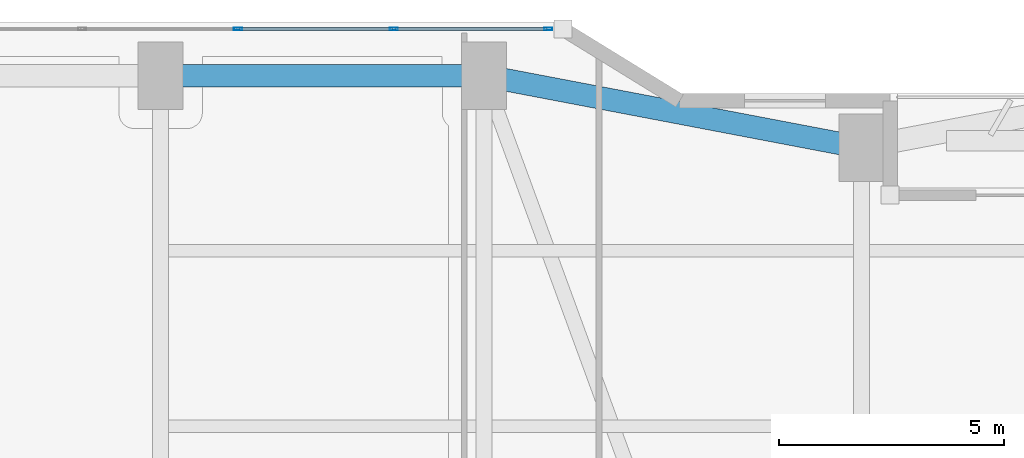
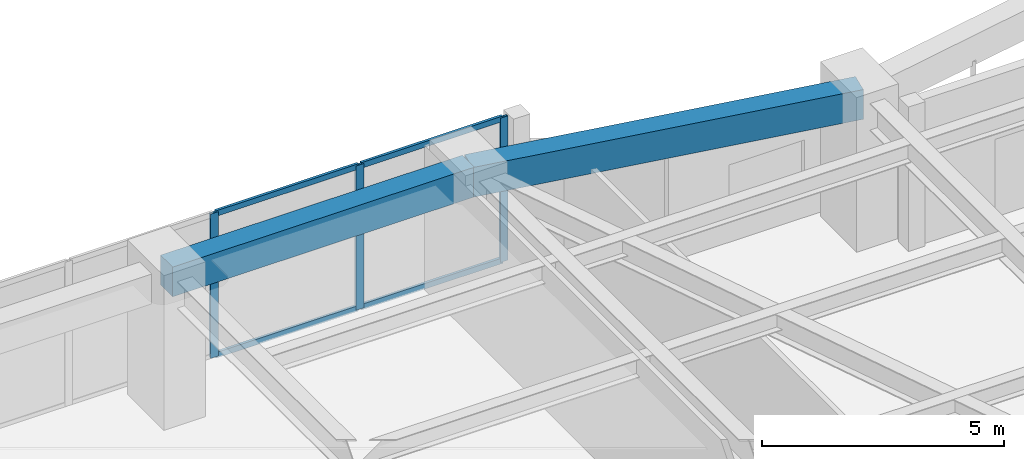
# One storey, part 17 of 29: 7 members, 2 beams, 1 element without a shape of its own.
"""IFC4 building model written with IfcOpenShell, lengths in metres."""

from ifc_helpers import new_model, si_unit, direction, frame, origin, origin_2d, place, context, subcontext, project, spatial, rectangle, hollow_rectangle, extrude, material, layer, layer_set, material_profile, profile_set, type_object, element, aggregate, save


model = new_model("IFC4")

# Units and contexts
model_context = context("Model", 3, precision=1e-05, world=origin(), true_north=direction((0.0, 1.0)))
body_context = subcontext(model_context, "Body", "Model", "MODEL_VIEW")
ifc_project = project(units=[si_unit("LENGTHUNIT", "METRE"), si_unit("AREAUNIT", "SQUARE_METRE"), si_unit("VOLUMEUNIT", "CUBIC_METRE"), si_unit("PLANEANGLEUNIT", "RADIAN"), si_unit("MASSUNIT", "GRAM", prefix="KILO")], contexts=[model_context])

# Site, building, storey
site_placement = place(None, origin())
site = spatial("IfcSite", under=ifc_project, at=site_placement, CompositionType="ELEMENT")
building_placement = place(site_placement, origin())
building = spatial("IfcBuilding", under=site, at=building_placement, Name="Kiyonajd Concourse Tower", CompositionType="ELEMENT")
storey_placement = place(building_placement, frame((0.0, 0.0, 48.89990234375)))
storey = spatial("IfcBuildingStorey", under=building, at=storey_placement, Name="L13", CompositionType="ELEMENT", Elevation=48.89990234375)

# Beams
ifc_material_1 = material(Name="Precast concrete C50/60", Category="concrete")
ifc_material_profile_1 = material_profile(ifc_material_1, rectangle(XDim=0.5, YDim=0.75, at=origin_2d()), Name="RCBM-500x750")
ifc_profile_set_1 = profile_set([ifc_material_profile_1], Name="Precast concrete C50/60")
beam_type = type_object("IfcBeamType", Name="BM-SPAN-RC", PredefinedType="SPANDREL", material=ifc_profile_set_1)
beam_1_placement = place(storey_placement, frame((48.0, 59.60009765625, 3.26513671875), z_axis=(-0.982341315253, 0.187097675953, 0.0), x_axis=(-0.187097675953, -0.982341315253, 0.0)))
element("IfcBeam", 1, at=beam_1_placement, inside=storey, type_object=beam_type, Name="L13 Perimeter Bundled Tube Spandrel", PredefinedType="SPANDREL", context=body_context, shape_type="SweptSolid", body=[
    extrude(rectangle(XDim=0.5, YDim=0.75, at=origin_2d()), origin(), (0.0, 0.0, 1.0), 8.55078125),
])
beam_2_placement = place(storey_placement, frame((39.60009765625, 61.199951171875, 3.26513671875), z_axis=(-1.0, 0.0, 0.0), x_axis=(0.0, -1.0, 0.0)))
element("IfcBeam", 2, at=beam_2_placement, inside=storey, type_object=beam_type, Name="L13 Perimeter Bundled Tube Spandrel", PredefinedType="SPANDREL", context=body_context, shape_type="SweptSolid", body=[
    extrude(rectangle(XDim=0.5, YDim=0.75, at=origin_2d()), origin(), (0.0, 0.0, 1.0), 7.2001953125),
])

# Curtain wall, members
ifc_material_2 = material(Name="Thermally Broken Anodised Aluminium", Category="aluminium")
ifc_layer = layer(ifc_material_2, 0.179931640625)
ifc_layer_set = layer_set([ifc_layer], Name="Thermally Broken Anodised Aluminium")
curtain_wall_type = type_object("IfcCurtainWallType", Name="CW-SYS-02", PredefinedType="NOTDEFINED", material=ifc_layer_set)
curtain_wall_placement = place(storey_placement, origin())
curtain_wall = element("IfcCurtainWall", 3, at=curtain_wall_placement, inside=storey, type_object=curtain_wall_type, Name="L13 Unitised Curtain Wall CW2", PredefinedType="NOTDEFINED")
ifc_material_profile_2 = material_profile(ifc_material_2, hollow_rectangle(XDim=0.06494140625, YDim=0.179931640625, WallThickness=0.00390625, at=origin_2d()), Name="MULL-65x180")
ifc_profile_set_2 = profile_set([ifc_material_profile_2], Name="Thermally Broken Anodised Aluminium")
member_type_1 = type_object("IfcMemberType", Name="MB-CW-MULL1", PredefinedType="MULLION", material=ifc_profile_set_2)
member_1_placement = place(storey_placement, frame((34.123291015625, 62.239990234375, 0.0), z_axis=(0.0, 0.0, 1.0), x_axis=(0.0, 1.0, 0.0)))
member_1 = element("IfcMember", 4, at=member_1_placement, type_object=member_type_1, Name="CW2 mullion 4", PredefinedType="MULLION", context=body_context, shape_type="SweptSolid", body=[
    extrude(hollow_rectangle(XDim=0.06494140625, YDim=0.179931640625, WallThickness=0.00390625, at=origin_2d()), origin(), (0.0, 0.0, 1.0), 3.64013671875),
])
member_2_placement = place(storey_placement, frame((37.593994140625, 62.239990234375, 0.0), z_axis=(0.0, 0.0, 1.0), x_axis=(0.0, 1.0, 0.0)))
member_2 = element("IfcMember", 5, at=member_2_placement, type_object=member_type_1, Name="CW2 mullion 5", PredefinedType="MULLION", context=body_context, shape_type="SweptSolid", body=[
    extrude(hollow_rectangle(XDim=0.06494140625, YDim=0.179931640625, WallThickness=0.00390625, at=origin_2d()), origin(), (0.0, 0.0, 1.0), 3.64013671875),
])
member_3_placement = place(storey_placement, frame((41.0322265625, 62.239990234375, 0.0), z_axis=(0.0, 0.0, 1.0), x_axis=(0.0, 1.0, 0.0)))
member_3 = element("IfcMember", 6, at=member_3_placement, type_object=member_type_1, Name="CW2 mullion 6", PredefinedType="MULLION", context=body_context, shape_type="SweptSolid", body=[
    extrude(hollow_rectangle(XDim=0.06494140625, YDim=0.179931640625, WallThickness=0.00390625, at=origin_2d()), origin(), (0.0, 0.0, 1.0), 3.64013671875),
])
ifc_material_profile_3 = material_profile(ifc_material_2, hollow_rectangle(XDim=0.06494140625, YDim=0.139892578125, WallThickness=0.00390625, at=origin_2d()), Name="TRAN-65x140")
ifc_profile_set_3 = profile_set([ifc_material_profile_3], Name="Thermally Broken Anodised Aluminium")
member_type_2 = type_object("IfcMemberType", Name="MB-CW-TRAN1", PredefinedType="USERDEFINED", material=ifc_profile_set_3)
member_4_placement = place(storey_placement, frame((34.15576171875, 62.239990234375, 0.03271484375), z_axis=(1.0, 0.0, 0.0), x_axis=(0.0, 1.0, 0.0)))
member_4 = element("IfcMember", 7, at=member_4_placement, type_object=member_type_2, Name="CW2 transom 4.1", ObjectType="TRANSOM", PredefinedType="USERDEFINED", context=body_context, shape_type="SweptSolid", body=[
    extrude(hollow_rectangle(XDim=0.06494140625, YDim=0.139892578125, WallThickness=0.00390625, at=origin_2d()), origin(), (0.0, 0.0, 1.0), 3.40576171875),
])
member_5_placement = place(storey_placement, frame((34.15576171875, 62.239990234375, 3.607666015625), z_axis=(1.0, 0.0, 0.0), x_axis=(0.0, 1.0, 0.0)))
member_5 = element("IfcMember", 8, at=member_5_placement, type_object=member_type_2, Name="CW2 transom 4.2", ObjectType="TRANSOM", PredefinedType="USERDEFINED", context=body_context, shape_type="SweptSolid", body=[
    extrude(hollow_rectangle(XDim=0.06494140625, YDim=0.139892578125, WallThickness=0.00390625, at=origin_2d()), origin(), (0.0, 0.0, 1.0), 3.40576171875),
])
member_6_placement = place(storey_placement, frame((37.62646484375, 62.239990234375, 0.03271484375), z_axis=(1.0, 0.0, 0.0), x_axis=(0.0, 1.0, 0.0)))
member_6 = element("IfcMember", 9, at=member_6_placement, type_object=member_type_2, Name="CW2 transom 5.1", ObjectType="TRANSOM", PredefinedType="USERDEFINED", context=body_context, shape_type="SweptSolid", body=[
    extrude(hollow_rectangle(XDim=0.06494140625, YDim=0.139892578125, WallThickness=0.00390625, at=origin_2d()), origin(), (0.0, 0.0, 1.0), 3.373291015625),
])
member_7_placement = place(storey_placement, frame((37.62646484375, 62.239990234375, 3.607666015625), z_axis=(1.0, 0.0, 0.0), x_axis=(0.0, 1.0, 0.0)))
member_7 = element("IfcMember", 10, at=member_7_placement, type_object=member_type_2, Name="CW2 transom 5.2", ObjectType="TRANSOM", PredefinedType="USERDEFINED", context=body_context, shape_type="SweptSolid", body=[
    extrude(hollow_rectangle(XDim=0.06494140625, YDim=0.139892578125, WallThickness=0.00390625, at=origin_2d()), origin(), (0.0, 0.0, 1.0), 3.373291015625),
])
aggregate(curtain_wall, [member_1, member_2, member_3, member_4, member_5, member_6, member_7])

save(model, "model.ifc")
